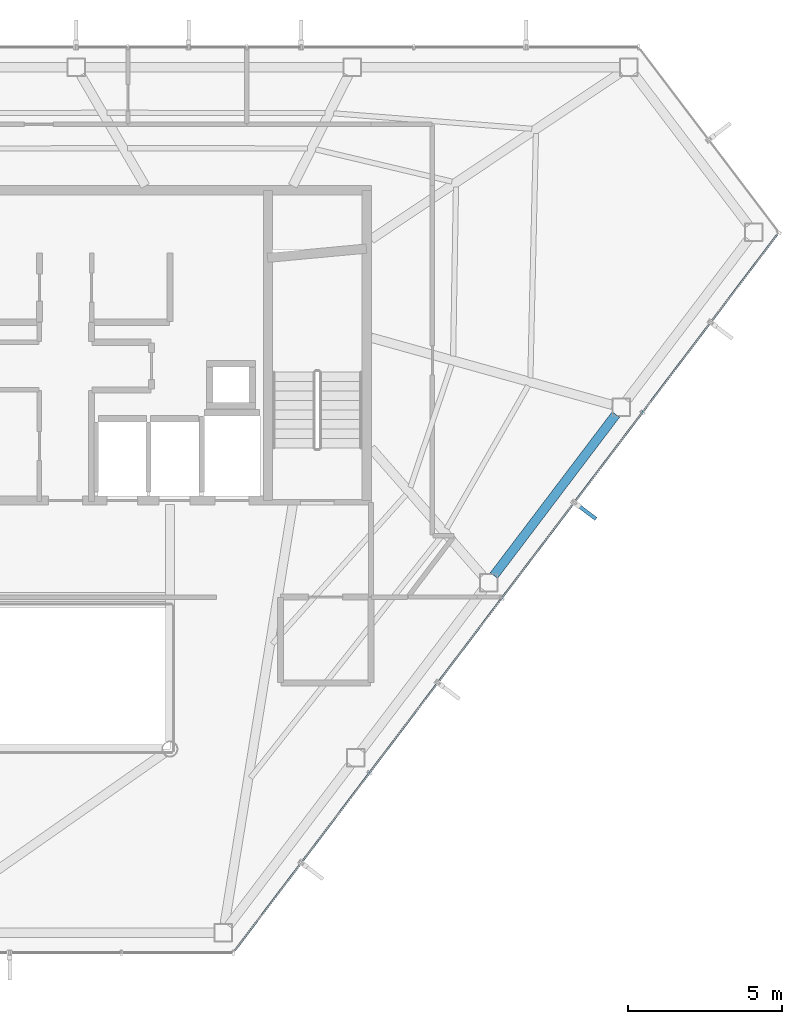
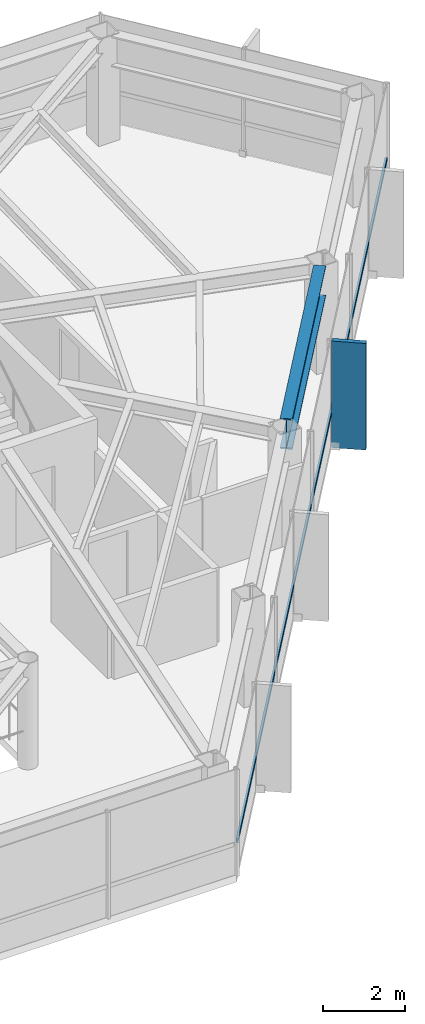
# One storey, part 16 of 25: 2 members, 1 beam, 1 element without a shape of its own.
"""IFC4 building model written with IfcOpenShell, lengths in metres."""

from ifc_helpers import new_model, si_unit, direction, frame, origin, origin_2d, place, context, subcontext, project, spatial, rectangle, hollow_rectangle, i_section, extrude, material, layer, layer_set, material_profile, profile_set, type_object, element, aggregate, save


model = new_model("IFC4")

# Units and contexts
model_context = context("Model", 3, precision=1e-05, world=origin(), true_north=direction((0.0, 1.0)))
body_context = subcontext(model_context, "Body", "Model", "MODEL_VIEW")
ifc_project = project(units=[si_unit("LENGTHUNIT", "METRE"), si_unit("AREAUNIT", "SQUARE_METRE"), si_unit("VOLUMEUNIT", "CUBIC_METRE"), si_unit("PLANEANGLEUNIT", "RADIAN"), si_unit("MASSUNIT", "GRAM", prefix="KILO")], contexts=[model_context])

# Site, building, storey
site_placement = place(None, origin())
site = spatial("IfcSite", under=ifc_project, at=site_placement, CompositionType="ELEMENT")
building_placement = place(site_placement, origin())
building = spatial("IfcBuilding", under=site, at=building_placement, Name="Zarrinselat Tower", CompositionType="ELEMENT")
storey_placement = place(building_placement, frame((0.0, 0.0, 242.760009765625)))
storey = spatial("IfcBuildingStorey", under=building, at=storey_placement, Name="L61", CompositionType="ELEMENT", Elevation=242.760009765625)

# Beam
ifc_material_1 = material(Name="Steel S460M", Category="steel")
ifc_material_profile_1 = material_profile(ifc_material_1, i_section(OverallWidth=0.302001953125, OverallDepth=0.909912109375, WebThickness=0.02099609375, FlangeThickness=0.0400390625, at=origin_2d()), Name="HEM 900")
ifc_profile_set_1 = profile_set([ifc_material_profile_1], Name="Steel S460M")
beam_type = type_object("IfcBeamType", Name="BM-HEM900", PredefinedType="BEAM", material=ifc_profile_set_1)
beam_placement = place(storey_placement, frame((52.352294921875, 30.851318359375, 2.72509765625), z_axis=(0.603869116495, 0.797083490071, 0.0), x_axis=(-0.797083490071, 0.603869116495, 0.0)))
element("IfcBeam", 1, at=beam_placement, inside=storey, type_object=beam_type, Name="L61 Perimeter Spandrel Girder SP13", PredefinedType="BEAM", context=body_context, shape_type="SweptSolid", body=[
    extrude(i_section(OverallWidth=0.302001953125, OverallDepth=0.909912109375, WebThickness=0.02099609375, FlangeThickness=0.0400390625, at=origin_2d()), origin(), (0.0, 0.0, 1.0), 6.580810546875),
])

# Curtain wall, members
ifc_material_2 = material(Name="Extruded Aluminium Alloy EN AW-6063 T6", Category="aluminium")
ifc_layer = layer(ifc_material_2, 0.169921875)
ifc_layer_set = layer_set([ifc_layer], Name="Extruded Aluminium Alloy EN AW-6063 T6")
curtain_wall_type = type_object("IfcCurtainWallType", Name="CWS-RES", PredefinedType="NOTDEFINED", material=ifc_layer_set)
curtain_wall_placement = place(storey_placement, origin())
curtain_wall = element("IfcCurtainWall", 2, at=curtain_wall_placement, inside=storey, type_object=curtain_wall_type, Name="L61 Unitised Curtain Wall CW-L61-E05", PredefinedType="NOTDEFINED")
ifc_material_3 = material(Name="Extruded Aluminium Alloy EN AW-6063 T6", Category="aluminium")
ifc_material_profile_2 = material_profile(ifc_material_3, hollow_rectangle(XDim=0.06005859375, YDim=0.1201171875, WallThickness=0.00390625, at=origin_2d()), Name="RHS 120x60x4")
ifc_profile_set_2 = profile_set([ifc_material_profile_2], Name="Extruded Aluminium Alloy EN AW-6063 T6")
member_type_1 = type_object("IfcMemberType", Name="MEM-CW-TRN2", PredefinedType="USERDEFINED", material=ifc_profile_set_2)
member_1_placement = place(storey_placement, frame((43.91259765625, 18.634521484375, 0.949951171875), z_axis=(0.603860258145, 0.797090201064, 0.0), x_axis=(-0.797090201064, 0.603860258145, 0.0)))
member_1 = element("IfcMember", 3, at=member_1_placement, type_object=member_type_1, Name="CW-L61-E05 Transom 1", ObjectType="TRANSOM", PredefinedType="USERDEFINED", context=body_context, shape_type="SweptSolid", body=[
    extrude(hollow_rectangle(XDim=0.06005859375, YDim=0.1201171875, WallThickness=0.00390625, at=origin_2d()), origin(), (0.0, 0.0, 1.0), 29.261962890625),
])
ifc_material_4 = material(Name="Honed Cream Travertine Stone", Category="masonry")
ifc_material_profile_3 = material_profile(ifc_material_4, rectangle(XDim=0.1201171875, YDim=0.85009765625, at=origin_2d()), Name="FIN 850x120")
ifc_profile_set_3 = profile_set([ifc_material_profile_3], Name="Honed Cream Travertine Stone")
member_type_2 = type_object("IfcMemberType", Name="MEM-STONE-FIN", PredefinedType="USERDEFINED", material=ifc_profile_set_3)
member_2_placement = place(storey_placement, frame((55.336669921875, 32.952392578125, 0.0), z_axis=(0.0, 0.0, 1.0), x_axis=(-0.603858472709, -0.797091553674, 0.0)))
member_2 = element("IfcMember", 4, at=member_2_placement, type_object=member_type_2, Name="L61 Stone Shading Fin CW-L61-E05-05", ObjectType="FIN", PredefinedType="USERDEFINED", context=body_context, shape_type="SweptSolid", body=[
    extrude(rectangle(XDim=0.1201171875, YDim=0.85009765625, at=origin_2d()), origin(), (0.0, 0.0, 1.0), 3.179931640625),
])
aggregate(curtain_wall, [member_2, member_1])

save(model, "model.ifc")
